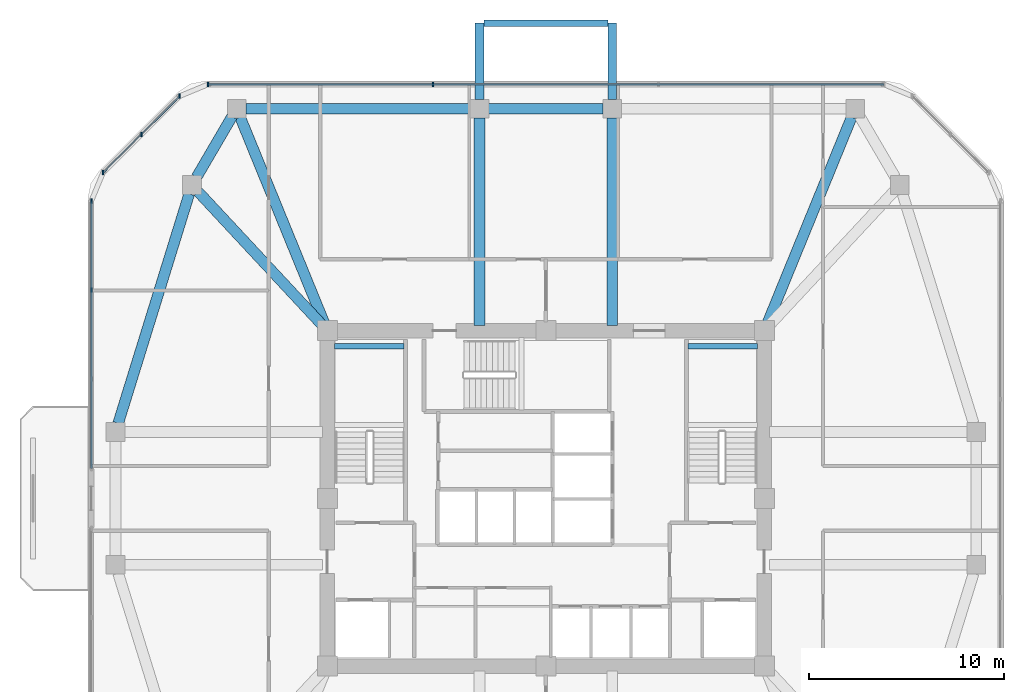
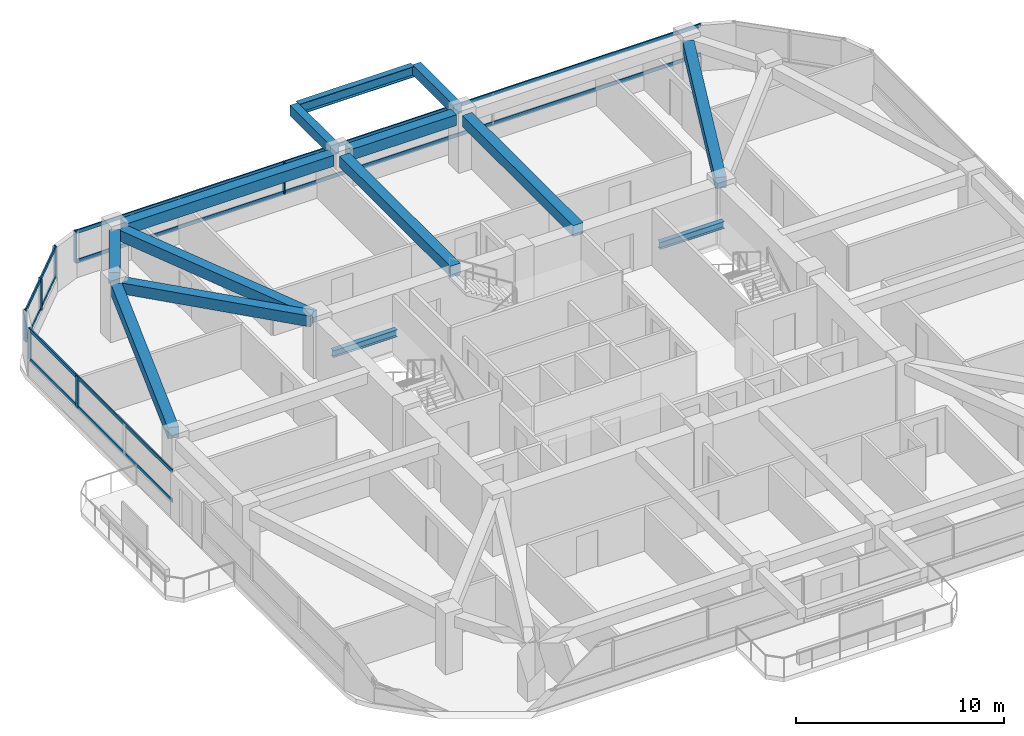
# One storey, part 4 of 12: 14 beams, 13 members, 3 elements without a shape of their own.
"""IFC4 building model written with IfcOpenShell, lengths in metres."""

from ifc_helpers import new_model, si_unit, derived_unit, direction, frame, origin, origin_2d, place, context, subcontext, project, spatial, rectangle, i_section, extrude, material, material_profile, profile_set, type_object, element, aggregate, save


model = new_model("IFC4")

# Units and contexts
model_context = context("Model", 3, precision=1e-05, world=origin(), true_north=direction((0.0, 1.0)))
body_context = subcontext(model_context, "Body", "Model", "MODEL_VIEW")
ifc_project = project(units=[si_unit("LENGTHUNIT", "METRE"), si_unit("AREAUNIT", "SQUARE_METRE"), si_unit("VOLUMEUNIT", "CUBIC_METRE"), si_unit("PLANEANGLEUNIT", "RADIAN"), si_unit("MASSUNIT", "GRAM", prefix="KILO"), derived_unit("THERMALTRANSMITTANCEUNIT", [(si_unit("POWERUNIT", "WATT"), 1), (si_unit("LENGTHUNIT", "METRE"), -2), (si_unit("THERMODYNAMICTEMPERATUREUNIT", "KELVIN"), -1)])], contexts=[model_context])

# Site, building, storey
site_placement = place(None, origin())
site = spatial("IfcSite", under=ifc_project, at=site_placement, CompositionType="ELEMENT")
building_placement = place(site_placement, origin())
building = spatial("IfcBuilding", under=site, at=building_placement, Name="Koralith Skygarden Medical Center", CompositionType="ELEMENT")
storey_placement = place(building_placement, frame((0.0, 0.0, 163.6201171875)))
storey = spatial("IfcBuildingStorey", under=building, at=storey_placement, Name="L42", CompositionType="ELEMENT", Elevation=163.6201171875)

# Curtain wall, members
ifc_material_1 = material(Name="Clear Laminated Glass", Category="glass")
curtain_wall_type = type_object("IfcCurtainWallType", Name="CW-4 Zone 3 Waist High-Wind Curtain Wall", PredefinedType="NOTDEFINED", material=ifc_material_1)
curtain_wall_1_placement = place(storey_placement, origin())
curtain_wall_1 = element("IfcCurtainWall", 1, at=curtain_wall_1_placement, inside=storey, type_object=curtain_wall_type, Name="Curtain Wall CW-L42-N", PredefinedType="NOTDEFINED")
ifc_material_2 = material(Name="Aluminium 6063-T6", Category="aluminium")
ifc_material_profile_1 = material_profile(ifc_material_2, rectangle(XDim=0.076904296875, YDim=0.22998046875, at=origin_2d()), Name="MUL77X230")
ifc_profile_set_1 = profile_set([ifc_material_profile_1], Name="Aluminium 6063-T6")
member_type_1 = type_object("IfcMemberType", Name="CW-4 Extruded Mullion 77x230", PredefinedType="MULLION", material=ifc_profile_set_1)
member_1_placement = place(storey_placement, frame((31.22412109375, 47.1201171875, 0.849853515625), z_axis=(0.0, 0.0, 1.0), x_axis=(1.0, 0.0, 0.0)))
member_1 = element("IfcMember", 2, at=member_1_placement, type_object=member_type_1, Name="CW-L42-N Mullion 3", PredefinedType="MULLION", context=body_context, shape_type="SweptSolid", body=[
    extrude(rectangle(XDim=0.076904296875, YDim=0.22998046875, at=origin_2d()), origin(), (0.0, 0.0, 1.0), 1.820068359375),
])
member_2_placement = place(storey_placement, frame((19.6708984375, 47.1201171875, 0.849853515625), z_axis=(0.0, 0.0, 1.0), x_axis=(1.0, 0.0, 0.0)))
member_2 = element("IfcMember", 3, at=member_2_placement, type_object=member_type_1, Name="CW-L42-N Mullion 4", PredefinedType="MULLION", context=body_context, shape_type="SweptSolid", body=[
    extrude(rectangle(XDim=0.076904296875, YDim=0.22998046875, at=origin_2d()), origin(), (0.0, 0.0, 1.0), 1.820068359375),
])

curtain_wall_2_placement = place(storey_placement, origin())
curtain_wall_2 = element("IfcCurtainWall", 4, at=curtain_wall_2_placement, inside=storey, type_object=curtain_wall_type, Name="Curtain Wall CW-L42-NW", PredefinedType="NOTDEFINED")
member_3_placement = place(storey_placement, frame((18.219970703125, 46.51904296875, 0.849853515625), z_axis=(0.0, 0.0, 1.0), x_axis=(1.0, 0.0, 0.0)))
member_3 = element("IfcMember", 5, at=member_3_placement, type_object=member_type_1, Name="CW-L42-NW Mullion 1", PredefinedType="MULLION", context=body_context, shape_type="SweptSolid", body=[
    extrude(rectangle(XDim=0.076904296875, YDim=0.22998046875, at=origin_2d()), origin(), (0.0, 0.0, 1.0), 1.820068359375),
])
member_4_placement = place(storey_placement, frame((16.258056640625, 44.556884765625, 0.849853515625), z_axis=(0.0, 0.0, 1.0), x_axis=(1.0, 0.0, 0.0)))
member_4 = element("IfcMember", 6, at=member_4_placement, type_object=member_type_1, Name="CW-L42-NW Mullion 2", PredefinedType="MULLION", context=body_context, shape_type="SweptSolid", body=[
    extrude(rectangle(XDim=0.076904296875, YDim=0.22998046875, at=origin_2d()), origin(), (0.0, 0.0, 1.0), 1.820068359375),
])
member_5_placement = place(storey_placement, frame((14.297119140625, 42.595947265625, 0.849853515625), z_axis=(0.0, 0.0, 1.0), x_axis=(1.0, 0.0, 0.0)))
member_5 = element("IfcMember", 7, at=member_5_placement, type_object=member_type_1, Name="CW-L42-NW Mullion 3", PredefinedType="MULLION", context=body_context, shape_type="SweptSolid", body=[
    extrude(rectangle(XDim=0.076904296875, YDim=0.22998046875, at=origin_2d()), origin(), (0.0, 0.0, 1.0), 1.820068359375),
])

curtain_wall_3_placement = place(storey_placement, origin())
curtain_wall_3 = element("IfcCurtainWall", 8, at=curtain_wall_3_placement, inside=storey, type_object=curtain_wall_type, Name="Curtain Wall CW-L42-W-L", PredefinedType="NOTDEFINED")
member_6_placement = place(storey_placement, frame((13.696044921875, 41.14501953125, 0.849853515625), z_axis=(0.0, 0.0, 1.0), x_axis=(1.0, 0.0, 0.0)))
member_6 = element("IfcMember", 9, at=member_6_placement, type_object=member_type_1, Name="CW-L42-W-L Mullion 1", PredefinedType="MULLION", context=body_context, shape_type="SweptSolid", body=[
    extrude(rectangle(XDim=0.076904296875, YDim=0.22998046875, at=origin_2d()), origin(), (0.0, 0.0, 1.0), 1.820068359375),
])
member_7_placement = place(storey_placement, frame((13.696044921875, 36.576904296875, 0.849853515625), z_axis=(0.0, 0.0, 1.0), x_axis=(1.0, 0.0, 0.0)))
member_7 = element("IfcMember", 10, at=member_7_placement, type_object=member_type_1, Name="CW-L42-W-L Mullion 2", PredefinedType="MULLION", context=body_context, shape_type="SweptSolid", body=[
    extrude(rectangle(XDim=0.076904296875, YDim=0.22998046875, at=origin_2d()), origin(), (0.0, 0.0, 1.0), 1.820068359375),
])

# Member
ifc_material_profile_2 = material_profile(ifc_material_2, rectangle(XDim=0.072021484375, YDim=0.20703125, at=origin_2d()), Name="TRN72X207")
ifc_profile_set_2 = profile_set([ifc_material_profile_2], Name="Aluminium 6063-T6")
member_type_2 = type_object("IfcMemberType", Name="CW-4 Thermal Transom 72x207", PredefinedType="USERDEFINED", material=ifc_profile_set_2)
member_8_placement = place(storey_placement, frame((54.3291015625, 47.1201171875, 0.89990234375), z_axis=(-1.0, 0.0, 0.0), x_axis=(0.0, -1.0, 0.0)))
member_8 = element("IfcMember", 11, at=member_8_placement, type_object=member_type_2, Name="CW-L42-N Transom 1", ObjectType="TRANSOM", PredefinedType="USERDEFINED", context=body_context, shape_type="SweptSolid", body=[
    extrude(rectangle(XDim=0.072021484375, YDim=0.20703125, at=origin_2d()), origin(), (0.0, 0.0, 1.0), 34.658203125),
])

member_9_placement = place(storey_placement, frame((54.3291015625, 47.1201171875, 2.619873046875), z_axis=(-1.0, 0.0, 0.0), x_axis=(0.0, -1.0, 0.0)))
member_9 = element("IfcMember", 12, at=member_9_placement, type_object=member_type_2, Name="CW-L42-N Transom 2", ObjectType="TRANSOM", PredefinedType="USERDEFINED", context=body_context, shape_type="SweptSolid", body=[
    extrude(rectangle(XDim=0.072021484375, YDim=0.20703125, at=origin_2d()), origin(), (0.0, 0.0, 1.0), 34.658203125),
])

aggregate(curtain_wall_1, [member_1, member_2, member_8, member_9])

member_10_placement = place(storey_placement, frame((18.219970703125, 46.51904296875, 0.89990234375), z_axis=(-0.707084777957, -0.707128783731, 0.0), x_axis=(0.707128783731, -0.707084777957, 0.0)))
member_10 = element("IfcMember", 13, at=member_10_placement, type_object=member_type_2, Name="CW-L42-NW Transom 1", ObjectType="TRANSOM", PredefinedType="USERDEFINED", context=body_context, shape_type="SweptSolid", body=[
    extrude(rectangle(XDim=0.072021484375, YDim=0.20703125, at=origin_2d()), origin(), (0.0, 0.0, 1.0), 5.5478515625),
])

member_11_placement = place(storey_placement, frame((18.219970703125, 46.51904296875, 2.619873046875), z_axis=(-0.707084777957, -0.707128783731, 0.0), x_axis=(0.707128783731, -0.707084777957, 0.0)))
member_11 = element("IfcMember", 14, at=member_11_placement, type_object=member_type_2, Name="CW-L42-NW Transom 2", ObjectType="TRANSOM", PredefinedType="USERDEFINED", context=body_context, shape_type="SweptSolid", body=[
    extrude(rectangle(XDim=0.072021484375, YDim=0.20703125, at=origin_2d()), origin(), (0.0, 0.0, 1.0), 5.5478515625),
])

aggregate(curtain_wall_2, [member_3, member_4, member_5, member_10, member_11])

member_12_placement = place(storey_placement, frame((13.696044921875, 41.14501953125, 0.89990234375), z_axis=(0.0, -1.0, 0.0), x_axis=(1.0, 0.0, 0.0)))
member_12 = element("IfcMember", 15, at=member_12_placement, type_object=member_type_2, Name="CW-L42-W-L Transom 1", ObjectType="TRANSOM", PredefinedType="USERDEFINED", context=body_context, shape_type="SweptSolid", body=[
    extrude(rectangle(XDim=0.072021484375, YDim=0.20703125, at=origin_2d()), origin(), (0.0, 0.0, 1.0), 13.705078125),
])

member_13_placement = place(storey_placement, frame((13.696044921875, 41.14501953125, 2.619873046875), z_axis=(0.0, -1.0, 0.0), x_axis=(1.0, 0.0, 0.0)))
member_13 = element("IfcMember", 16, at=member_13_placement, type_object=member_type_2, Name="CW-L42-W-L Transom 2", ObjectType="TRANSOM", PredefinedType="USERDEFINED", context=body_context, shape_type="SweptSolid", body=[
    extrude(rectangle(XDim=0.072021484375, YDim=0.20703125, at=origin_2d()), origin(), (0.0, 0.0, 1.0), 13.705078125),
])

aggregate(curtain_wall_3, [member_6, member_7, member_12, member_13])

# Beams
ifc_material_3 = material(Name="Steel ASTM A992 Grade 50", Category="steel")
ifc_material_profile_3 = material_profile(ifc_material_3, i_section(OverallWidth=0.326904296875, OverallDepth=0.6220703125, WebThickness=0.015380859375, FlangeThickness=0.0244140625, at=origin_2d()), Name="W24X131")
ifc_profile_set_3 = profile_set([ifc_material_profile_3], Name="Steel ASTM A992 Grade 50")
beam_type_1 = type_object("IfcBeamType", Name="Cantilever Tie Beam W24X131", PredefinedType="BEAM", material=ifc_profile_set_3)
beam_1_placement = place(storey_placement, frame((33.820068359375, 50.260009765625, 3.02880859375), z_axis=(1.0, 0.0, 0.0), x_axis=(0.0, 1.0, 0.0)))
element("IfcBeam", 17, at=beam_1_placement, inside=storey, type_object=beam_type_1, Name="L43 N Balcony Tip Tie Beam", PredefinedType="BEAM", context=body_context, shape_type="SweptSolid", body=[
    extrude(i_section(OverallWidth=0.326904296875, OverallDepth=0.6220703125, WebThickness=0.015380859375, FlangeThickness=0.0244140625, at=origin_2d()), origin(), (0.0, 0.0, 1.0), 6.35986328125),
])
ifc_material_profile_4 = material_profile(ifc_material_3, i_section(OverallWidth=0.260009765625, OverallDepth=0.4150390625, WebThickness=0.010009765625, FlangeThickness=0.016845703125, at=origin_2d()), Name="W16X67")
ifc_profile_set_4 = profile_set([ifc_material_profile_4], Name="Steel ASTM A992 Grade 50")
beam_type_2 = type_object("IfcBeamType", Name="Clinical Floor Joist W16X67", PredefinedType="JOIST", material=ifc_profile_set_4)
for number, where, z_axis, x_axis, name in (
    (18, (26.155029296875, 33.699951171875, 1.391845703125), (1.0, 0.0, 0.0), (0.0, 1.0, 0.0), "L42 Stair ST1 Half-Landing Support Beam 1B"),
    (19, (44.280029296875, 33.699951171875, 1.391845703125), (1.0, 0.0, 0.0), (0.0, 1.0, 0.0), "L42 Stair ST2 Half-Landing Support Beam 1B"),
):
    element("IfcBeam", number, at=place(storey_placement, frame(where, z_axis=z_axis, x_axis=x_axis)), inside=storey, type_object=beam_type_2, Name=name, PredefinedType="JOIST", context=body_context, shape_type="SweptSolid", body=[
        extrude(i_section(OverallWidth=0.260009765625, OverallDepth=0.4150390625, WebThickness=0.010009765625, FlangeThickness=0.016845703125, at=origin_2d()), origin(), (0.0, 0.0, 1.0), 3.56494140625),
    ])
ifc_material_4 = material(Name="Concrete C45/55", Category="concrete")
ifc_material_profile_5 = material_profile(ifc_material_4, rectangle(XDim=0.449951171875, YDim=0.60009765625, at=origin_2d()), Name="RCB450X600")
ifc_profile_set_5 = profile_set([ifc_material_profile_5], Name="Concrete C45/55")
beam_type_3 = type_object("IfcBeamType", Name="Planted Balcony Cantilever Beam RCB450X600", PredefinedType="BEAM", material=ifc_profile_set_5)
for number, where, z_axis, x_axis, name in (
    (20, (33.60009765625, 46.340087890625, 3.039794921875), (0.0, 1.0, 0.0), (-1.0, 0.0, 0.0), "L43 N Balcony Cantilever Beam A"),
    (21, (40.39990234375, 46.340087890625, 3.039794921875), (0.0, 1.0, 0.0), (-1.0, 0.0, 0.0), "L43 N Balcony Cantilever Beam B"),
):
    element("IfcBeam", number, at=place(storey_placement, frame(where, z_axis=z_axis, x_axis=x_axis)), inside=storey, type_object=beam_type_3, Name=name, PredefinedType="BEAM", context=body_context, shape_type="SweptSolid", body=[
        extrude(rectangle(XDim=0.449951171875, YDim=0.60009765625, at=origin_2d()), origin(), (0.0, 0.0, 1.0), 3.919921875),
    ])
ifc_material_profile_6 = material_profile(ifc_material_4, rectangle(XDim=0.550048828125, YDim=0.639892578125, at=origin_2d()), Name="RCB550X640")
ifc_profile_set_6 = profile_set([ifc_material_profile_6], Name="Concrete C45/55")
beam_type_4 = type_object("IfcBeamType", Name="Radial Collector Beam RCB550X640", PredefinedType="BEAM", material=ifc_profile_set_6)
beam_2_placement = place(storey_placement, frame((48.294921875, 34.73095703125, 3.0), z_axis=(0.378344544364, 0.92566484526, 0.0), x_axis=(-0.92566484526, 0.378344544364, 0.0)))
element("IfcBeam", 22, at=beam_2_placement, inside=storey, type_object=beam_type_4, Name="L42 Radial Collector Beam RB-11", PredefinedType="BEAM", context=body_context, shape_type="SweptSolid", body=[
    extrude(rectangle(XDim=0.550048828125, YDim=0.639892578125, at=origin_2d()), origin(), (0.0, 0.0, 1.0), 11.574462890625),
])
for number, where, z_axis, x_axis, name in (
    (23, (40.39990234375, 34.75, 3.0), (0.0, 1.0, 0.0), (-1.0, 0.0, 0.0), "L42 Radial Collector Beam RB-12"),
    (24, (33.60009765625, 34.75, 3.0), (0.0, 1.0, 0.0), (-1.0, 0.0, 0.0), "L42 Radial Collector Beam RB-13"),
):
    element("IfcBeam", number, at=place(storey_placement, frame(where, z_axis=z_axis, x_axis=x_axis)), inside=storey, type_object=beam_type_4, Name=name, PredefinedType="BEAM", context=body_context, shape_type="SweptSolid", body=[
        extrude(rectangle(XDim=0.550048828125, YDim=0.639892578125, at=origin_2d()), origin(), (0.0, 0.0, 1.0), 10.659912109375),
    ])
beam_3_placement = place(storey_placement, frame((25.705078125, 34.73095703125, 3.0), z_axis=(-0.378344544364, 0.92566484526, 0.0), x_axis=(-0.92566484526, -0.378344544364, 0.0)))
element("IfcBeam", 25, at=beam_3_placement, inside=storey, type_object=beam_type_4, Name="L42 Radial Collector Beam RB-14", PredefinedType="BEAM", context=body_context, shape_type="SweptSolid", body=[
    extrude(rectangle(XDim=0.550048828125, YDim=0.639892578125, at=origin_2d()), origin(), (0.0, 0.0, 1.0), 11.574462890625),
])
beam_4_placement = place(storey_placement, frame((25.6298828125, 34.68310546875, 3.0), z_axis=(-0.681369011591, 0.731940072713, 0.0), x_axis=(-0.731940072713, -0.681369011591, 0.0)))
element("IfcBeam", 26, at=beam_4_placement, inside=storey, type_object=beam_type_4, Name="L42 Radial Collector Beam RB-15", PredefinedType="BEAM", context=body_context, shape_type="SweptSolid", body=[
    extrude(rectangle(XDim=0.550048828125, YDim=0.639892578125, at=origin_2d()), origin(), (0.0, 0.0, 1.0), 9.471923828125),
])
ifc_material_profile_7 = material_profile(ifc_material_4, rectangle(XDim=0.550048828125, YDim=0.639892578125, at=origin_2d()), Name="RCB550X640")
ifc_profile_set_7 = profile_set([ifc_material_profile_7], Name="Concrete C45/55")
beam_type_5 = type_object("IfcBeamType", Name="Zone 2-3 Spandrel Beam RCB550X640", PredefinedType="SPANDREL", material=ifc_profile_set_7)
beam_5_placement = place(storey_placement, frame((39.929931640625, 45.8798828125, 3.0), z_axis=(-1.0, 0.0, 0.0), x_axis=(0.0, -1.0, 0.0)))
element("IfcBeam", 27, at=beam_5_placement, inside=storey, type_object=beam_type_5, Name="L42 Perimeter Spandrel Beam SP-12", PredefinedType="SPANDREL", context=body_context, shape_type="SweptSolid", body=[
    extrude(rectangle(XDim=0.550048828125, YDim=0.639892578125, at=origin_2d()), origin(), (0.0, 0.0, 1.0), 5.85986328125),
])
beam_6_placement = place(storey_placement, frame((33.1298828125, 45.8798828125, 3.0), z_axis=(-1.0, 0.0, 0.0), x_axis=(0.0, -1.0, 0.0)))
element("IfcBeam", 28, at=beam_6_placement, inside=storey, type_object=beam_type_5, Name="L42 Perimeter Spandrel Beam SP-13", PredefinedType="SPANDREL", context=body_context, shape_type="SweptSolid", body=[
    extrude(rectangle(XDim=0.550048828125, YDim=0.639892578125, at=origin_2d()), origin(), (0.0, 0.0, 1.0), 11.511962890625),
])
beam_7_placement = place(storey_placement, frame((20.910888671875, 45.47412109375, 3.0), z_axis=(-0.504861391295, -0.863200426077, 0.0), x_axis=(0.863200426077, -0.504861391295, 0.0)))
element("IfcBeam", 29, at=beam_7_placement, inside=storey, type_object=beam_type_5, Name="L42 Perimeter Spandrel Beam SP-14", PredefinedType="SPANDREL", context=body_context, shape_type="SweptSolid", body=[
    extrude(rectangle(XDim=0.550048828125, YDim=0.639892578125, at=origin_2d()), origin(), (0.0, 0.0, 1.0), 3.600830078125),
])
beam_8_placement = place(storey_placement, frame((18.717041015625, 41.510986328125, 3.0), z_axis=(-0.295793585147, -0.955251880389, 0.0), x_axis=(0.955251880389, -0.295793585147, 0.0)))
element("IfcBeam", 30, at=beam_8_placement, inside=storey, type_object=beam_type_5, Name="L42 Perimeter Spandrel Beam SP-15", PredefinedType="SPANDREL", context=body_context, shape_type="SweptSolid", body=[
    extrude(rectangle(XDim=0.550048828125, YDim=0.639892578125, at=origin_2d()), origin(), (0.0, 0.0, 1.0), 12.31298828125),
])

save(model, "model.ifc")
